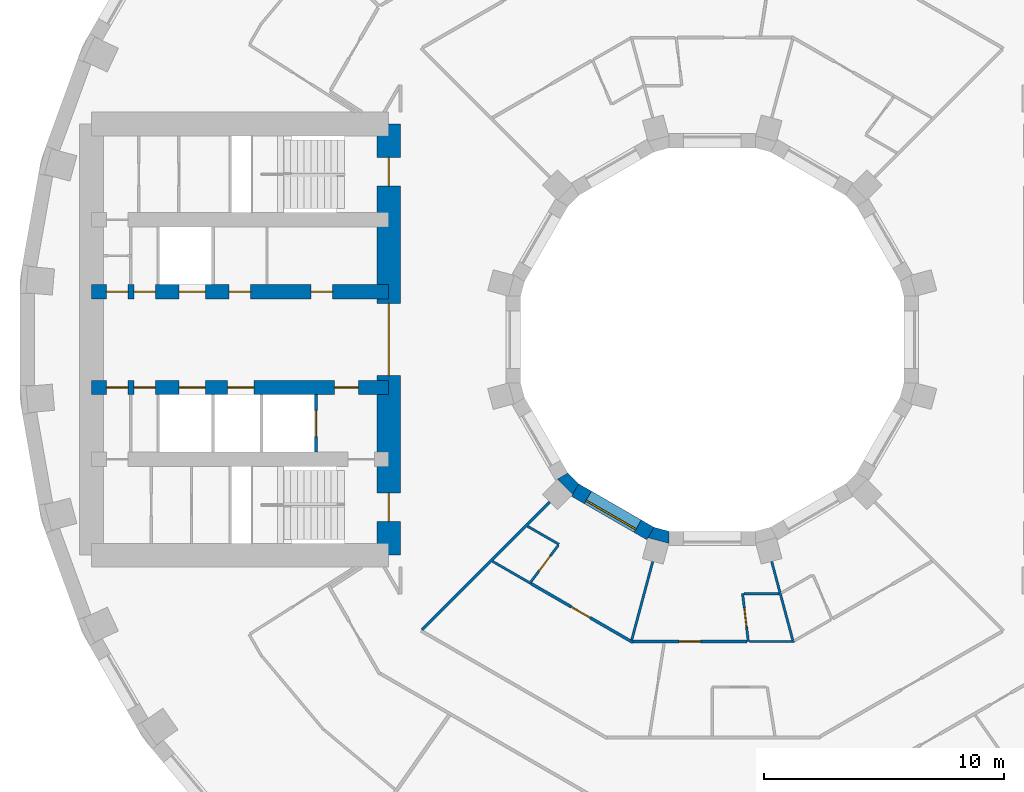
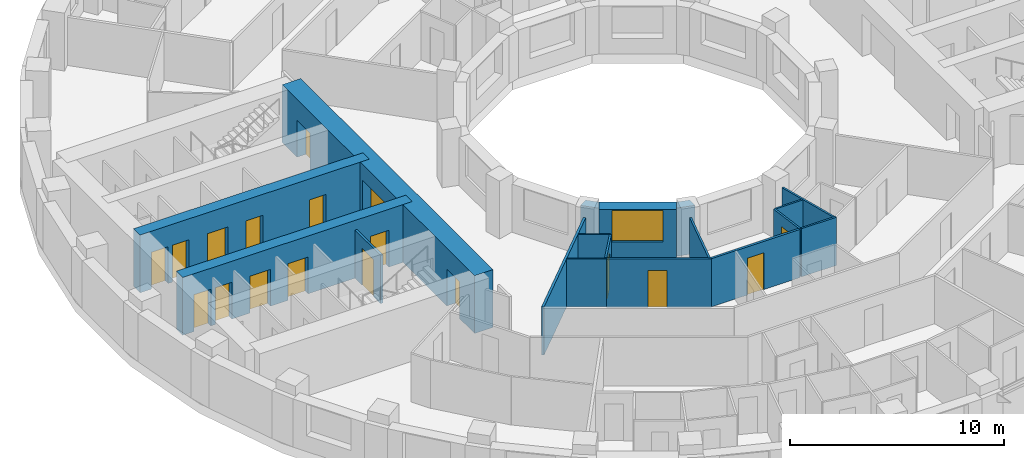
# One storey, part 7 of 16: 18 doors, 18 walls, 1 window, 19 openings.
"""IFC4 building model written with IfcOpenShell, lengths in metres."""

import ifcopenshell
import ifcopenshell.guid

model = None  # the IFC model being written
_history = None  # IfcOwnerHistory: only IFC2X3 demands one
_inside = {}  # id of a spatial element -> (the spatial element, [elements in it])
_under = {}  # id of a project, library or spatial element -> (it, [spatial elements below it])
_declared = {}  # id of a project -> (the project, [libraries it declares])
_typed = {}  # id of a type object -> (the type object, [elements of that type])
_made_of = {}  # id of a material, layer set ... -> (it, [elements and type objects made of it])


def new_model(schema):
    """Start an empty IFC model of exactly this schema.

    Asked for "IFC4X3", IfcOpenShell would pick the latest addendum, in which some entities
    have other attributes; the version numbers below select the first issue.
    IFC2X3 requires an IfcOwnerHistory on every rooted entity: one is made here for all.
    """
    global model, _history
    if schema == "IFC4X3":
        model = ifcopenshell.file(schema_version=(4, 3, 0, 0))
    else:
        model = ifcopenshell.file(schema=schema)
    _inside.clear()
    _under.clear()
    _declared.clear()
    _typed.clear()
    _made_of.clear()
    _history = None
    if model.schema == "IFC2X3":
        org = make("IfcOrganization", Name="unknown")
        user = make(
            "IfcPersonAndOrganization",
            ThePerson=make("IfcPerson", FamilyName="unknown"),
            TheOrganization=org,
        )
        app = make(
            "IfcApplication",
            ApplicationDeveloper=org,
            Version="unknown",
            ApplicationFullName="unknown",
            ApplicationIdentifier="unknown",
        )
        _history = make(
            "IfcOwnerHistory",
            OwningUser=user,
            OwningApplication=app,
            ChangeAction="ADDED",
            CreationDate=0,
        )
    return model


def make(cls, **values):
    """One entity of the class cls with the attributes given. An attribute that is None is left unset."""
    return model.create_entity(
        cls, **{name: value for name, value in values.items() if value is not None}
    )


def rooted(cls, **values):
    """An entity with a GlobalId (a new one), such as an element, a storey or a relation."""
    return make(cls, GlobalId=ifcopenshell.guid.new(), OwnerHistory=_history, **values)


def si_unit(unit_type, name, prefix=None):
    """IfcSIUnit, for example si_unit("LENGTHUNIT", "METRE", prefix="MILLI")."""
    return make("IfcSIUnit", UnitType=unit_type, Prefix=prefix, Name=name)


def assignment(units):
    """IfcUnitAssignment: the units of a project."""
    return None if units is None else make("IfcUnitAssignment", Units=units)


def point(xyz):
    """IfcCartesianPoint."""
    return None if xyz is None else make("IfcCartesianPoint", Coordinates=xyz)


def direction(xyz):
    """IfcDirection."""
    return None if xyz is None else make("IfcDirection", DirectionRatios=xyz)


def frame(location, z_axis=None, x_axis=None):
    """IfcAxis2Placement3D, a coordinate frame: its origin and axes. An axis left out is left unset."""
    return make(
        "IfcAxis2Placement3D",
        Location=point(location),
        Axis=direction(z_axis),
        RefDirection=direction(x_axis),
    )


def frame_2d(location, x_axis=None):
    """IfcAxis2Placement2D, a coordinate frame in the plane: its origin and x axis."""
    return make(
        "IfcAxis2Placement2D", Location=point(location), RefDirection=direction(x_axis)
    )


def origin():
    """The frame at (0, 0, 0) with its axes left unset."""
    return frame((0.0, 0.0, 0.0))


def place(relative_to, where):
    """IfcLocalPlacement: puts the frame where relative to a parent placement (None: the world)."""
    return make(
        "IfcLocalPlacement", PlacementRelTo=relative_to, RelativePlacement=where
    )


def context(
    kind, dimensions, precision=None, world=None, true_north=None, identifier=None
):
    """IfcGeometricRepresentationContext, for example the 3D "Model" context."""
    return make(
        "IfcGeometricRepresentationContext",
        ContextIdentifier=identifier,
        ContextType=kind,
        CoordinateSpaceDimension=dimensions,
        Precision=precision,
        WorldCoordinateSystem=world,
        TrueNorth=true_north,
    )


def subcontext(parent, identifier, kind, view, scale=None):
    """IfcGeometricRepresentationSubContext, for example "Body" below "Model"."""
    return make(
        "IfcGeometricRepresentationSubContext",
        ContextIdentifier=identifier,
        ContextType=kind,
        ParentContext=parent,
        TargetScale=scale,
        TargetView=view,
    )


def project(units=None, contexts=None):
    """IfcProject with its units and contexts."""
    return rooted(
        "IfcProject",
        Name="project",
        RepresentationContexts=contexts,
        UnitsInContext=assignment(units),
    )


def spatial(cls, under=None, at=None, **own):
    """A site, building, storey or space (cls), placed at a placement, below another one or the project."""
    s = rooted(cls, ObjectPlacement=at, **own)
    if under is not None:
        _under.setdefault(under.id(), (under, []))[1].append(s)
    return s


def polyline(points):
    """IfcPolyline through the points."""
    return make("IfcPolyline", Points=[point(p) for p in points])


def profile(cls, at=None, kind="AREA", **sizes):
    """A parametric profile (cls). Its sizes go by their IFC names, for example OverallWidth=200.0."""
    return make(cls, ProfileType=kind, Position=at, **sizes)


def rectangle(**sizes):
    """IfcRectangleProfileDef."""
    return profile("IfcRectangleProfileDef", **sizes)


def outline(outer, holes=None, kind="AREA"):
    """IfcArbitraryClosedProfileDef: a profile drawn as a closed curve; with holes, ...WithVoids."""
    if holes is None:
        return make("IfcArbitraryClosedProfileDef", ProfileType=kind, OuterCurve=outer)
    return make(
        "IfcArbitraryProfileDefWithVoids",
        ProfileType=kind,
        OuterCurve=outer,
        InnerCurves=holes,
    )


def extrude(swept, where, along, depth):
    """IfcExtrudedAreaSolid: the profile swept, set in the frame where, extruded along a direction by depth."""
    return make(
        "IfcExtrudedAreaSolid",
        SweptArea=swept,
        Position=where,
        ExtrudedDirection=direction(along),
        Depth=depth,
    )


def shape(context_of_items, identifier, shape_type, items):
    """IfcShapeRepresentation: the items that make up one representation, for example the "Body"."""
    return make(
        "IfcShapeRepresentation",
        ContextOfItems=context_of_items,
        RepresentationIdentifier=identifier,
        RepresentationType=shape_type,
        Items=items,
    )


def material(Name=None, Category=None):
    """IfcMaterial."""
    return make("IfcMaterial", Name=Name, Category=Category)


def layer(
    of_material, thickness, ventilated=None, Name=None, Category=None, Priority=None
):
    """IfcMaterialLayer: one layer of a wall or slab, of a material (None: an air gap)."""
    return make(
        "IfcMaterialLayer",
        Material=of_material,
        LayerThickness=thickness,
        IsVentilated=ventilated,
        Name=Name,
        Category=Category,
        Priority=Priority,
    )


def layer_set(layers, Name=None):
    """IfcMaterialLayerSet."""
    return make("IfcMaterialLayerSet", MaterialLayers=layers, LayerSetName=Name)


def made_of(thing, what):
    """Note that an element or type object is made of a material, layer set ...; save() writes the relation."""
    if what is not None:
        _made_of.setdefault(what.id(), (what, []))[1].append(thing)
    return thing


def type_object(cls, material=None, **own):
    """A type object (cls), such as IfcWallType, which elements share."""
    return made_of(rooted(cls, **own), material)


def element(
    cls,
    number,
    at=None,
    inside=None,
    cuts=None,
    type_object=None,
    material=None,
    context=None,
    identifier="Body",
    shape_type=None,
    held_by="IfcProductDefinitionShape",
    body=None,
    shapes=None,
    **own,
):
    """One element of the class cls, such as IfcWall. Its Tag is "e" and its number.

    at: its placement. inside: the storey or other place that contains it. cuts: it is an
    opening in that element (IfcRelVoidsElement). A single representation is given by context,
    identifier, shape_type and body (its items); several are given by shapes. held_by: the class
    of the entity that holds the representations. save() writes the other relations.
    """
    e = rooted(cls, Tag="e%d" % number, ObjectPlacement=at, **own)
    if body is not None:
        shapes = [shape(context, identifier, shape_type, body)]
    if shapes is not None:
        e.Representation = make(held_by, Representations=shapes)
    if inside is not None:
        _inside.setdefault(inside.id(), (inside, []))[1].append(e)
    if cuts is not None:
        rooted(
            "IfcRelVoidsElement", RelatingBuildingElement=cuts, RelatedOpeningElement=e
        )
    if type_object is not None:
        _typed.setdefault(type_object.id(), (type_object, []))[1].append(e)
    return made_of(e, material)


def fill(opening, filler):
    """IfcRelFillsElement: the door or window that sits in an opening."""
    return rooted(
        "IfcRelFillsElement",
        RelatingOpeningElement=opening,
        RelatedBuildingElement=filler,
    )


def aggregate(whole, parts):
    """IfcRelAggregates: a whole, such as a stair, and the parts it consists of."""
    return rooted("IfcRelAggregates", RelatingObject=whole, RelatedObjects=parts)


def save(model, path):
    """Write the relations noted so far, then the file.

    IfcRelAggregates (storeys below a building ...), IfcRelContainedInSpatialStructure (elements
    in a storey), IfcRelDefinesByType, IfcRelAssociatesMaterial and IfcRelDeclares: one each for
    every whole, place, type object, material and project.
    """
    for whole, parts in _under.values():
        aggregate(whole, parts)
    for where, things in _inside.values():
        rooted(
            "IfcRelContainedInSpatialStructure",
            RelatedElements=things,
            RelatingStructure=where,
        )
    for kind, things in _typed.values():
        rooted("IfcRelDefinesByType", RelatedObjects=things, RelatingType=kind)
    for what, things in _made_of.values():
        rooted("IfcRelAssociatesMaterial", RelatedObjects=things, RelatingMaterial=what)
    for by, libraries in _declared.values():
        rooted("IfcRelDeclares", RelatingContext=by, RelatedDefinitions=libraries)
    model.write(path)


model = new_model("IFC4")

# Units and contexts
model_context = context("Model", 3, precision=1e-05, world=origin(), true_north=direction((0.0, 1.0)))
body_context = subcontext(model_context, "Body", "Model", "MODEL_VIEW")
ifc_project = project(units=[si_unit("LENGTHUNIT", "METRE"), si_unit("AREAUNIT", "SQUARE_METRE"), si_unit("VOLUMEUNIT", "CUBIC_METRE"), si_unit("PLANEANGLEUNIT", "RADIAN"), si_unit("MASSUNIT", "GRAM", prefix="KILO")], contexts=[model_context])

# Site, building, storey
site_placement = place(None, origin())
site = spatial("IfcSite", under=ifc_project, at=site_placement, CompositionType="ELEMENT")
building_placement = place(site_placement, origin())
building = spatial("IfcBuilding", under=site, at=building_placement, Name="Saqina Gate Tower", CompositionType="ELEMENT")
storey_placement = place(building_placement, frame((0.0, 0.0, 26.300048828125)))
storey = spatial("IfcBuildingStorey", under=building, at=storey_placement, Name="L06", CompositionType="ELEMENT", Elevation=26.300048828125)

# Wall, opening, window
ifc_material_1 = material(Name="Glazed ceramic tile", Category="ceramic")
ifc_layer_1 = layer(ifc_material_1, 0.60009765625)
ifc_layer_set_1 = layer_set([ifc_layer_1], Name="IW-TILE")
wall_type_1 = type_object("IfcWallType", Name="IW-TILE", PredefinedType="SOLIDWALL", material=ifc_layer_set_1)
wall_1_placement = place(storey_placement, frame((-5.7197265625, -6.28173828125, 0.0), z_axis=(0.0, 0.0, 1.0), x_axis=(0.866029693906, -0.499992569217, 0.0)))
wall_1 = element("IfcWall", 1, at=wall_1_placement, inside=storey, type_object=wall_type_1, Name="Well wall L06 facet 8", PredefinedType="SOLIDWALL", context=body_context, shape_type="SweptSolid", body=[
    extrude(rectangle(XDim=3.625, YDim=0.60009765625, at=frame_2d((1.8125, 0.0))), origin(), (0.0, 0.0, 1.0), 2.75),
])
opening_1_placement = place(wall_1_placement, frame((0.612548828125, 0.0, 0.89990234375)))
opening_1 = element("IfcOpeningElement", 2, at=opening_1_placement, cuts=wall_1, Name="Opening G01-W30", PredefinedType="OPENING", context=body_context, shape_type="SweptSolid", body=[
    extrude(rectangle(XDim=2.39990234375, YDim=1.800048828125, at=frame_2d((1.199951171875, 0.89990234375))), frame((0.0, 0.31201171875, 0.0), z_axis=(0.0, -1.0, 0.0), x_axis=(1.0, 0.0, 0.0)), (0.0, 0.0, 1.0), 0.6240234375),
])
ifc_material_2 = material(Name="Aluminium glazing", Category="aluminium")
window_type = type_object("IfcWindowType", Name="WN-W", PartitioningType="SINGLE_PANEL", PredefinedType="WINDOW", material=ifc_material_2)
window_placement = place(opening_1_placement, origin())
window = element("IfcWindow", 3, at=window_placement, inside=storey, type_object=window_type, Name="Well window L06 facet 8", OverallHeight=1.800048828125, OverallWidth=2.39990234375, PartitioningType="SINGLE_PANEL", PredefinedType="WINDOW", context=body_context, shape_type="SweptSolid", body=[
    extrude(rectangle(XDim=2.39990234375, YDim=1.800048828125, at=frame_2d((1.199951171875, 0.89990234375))), frame((0.0, -0.119873046875, 0.0), z_axis=(0.0, -1.0, 0.0), x_axis=(1.0, 0.0, 0.0)), (0.0, 0.0, 1.0), 0.06005859375),
])
fill(opening_1, window)

# Wall, opening, door
ifc_material_3 = material(Name="Gypsum board on steel studs, 100 mm", Category="steel")
ifc_layer_2 = layer(ifc_material_3, 0.10009765625)
ifc_layer_set_2 = layer_set([ifc_layer_2], Name="PARTITION 100")
wall_type_2 = type_object("IfcWallType", Name="PARTITION 100", PredefinedType="PARTITIONING", material=ifc_layer_set_2)
wall_2_placement = place(storey_placement, frame((1.26708984375, -10.60009765625, 0.0), z_axis=(0.0, 0.0, 1.0), x_axis=(0.11866247814, -0.992934648545, 0.0)))
wall_2 = element("IfcWall", 4, at=wall_2_placement, inside=storey, type_object=wall_type_2, Name="PARTITION PW3-06", PredefinedType="PARTITIONING", context=body_context, shape_type="SweptSolid", body=[
    extrude(rectangle(XDim=2.01416015625, YDim=0.10009765625, at=frame_2d((1.007080078125, 0.0))), origin(), (0.0, 0.0, 1.0), 2.75),
])
opening_2_placement = place(wall_2_placement, frame((0.607177734375, 0.0, 0.0)))
opening_2 = element("IfcOpeningElement", 5, at=opening_2_placement, cuts=wall_2, Name="Opening G01-D58", PredefinedType="OPENING", context=body_context, shape_type="SweptSolid", body=[
    extrude(rectangle(XDim=0.800048828125, YDim=2.10009765625, at=frame_2d((0.39990234375, 1.050048828125))), frame((0.0, 0.06201171875, 0.0), z_axis=(0.0, -1.0, 0.0), x_axis=(1.0, 0.0, 0.0)), (0.0, 0.0, 1.0), 0.1240234375),
])
ifc_material_4 = material(Name="Timber door leaf, 800 mm", Category="wood")
door_type_1 = type_object("IfcDoorType", Name="DOOR 800 TIMBER", OperationType="SINGLE_SWING_LEFT", PredefinedType="DOOR", material=ifc_material_4)
door_1_placement = place(opening_2_placement, frame((0.800048828125, 0.0, 0.0), z_axis=(0.0, 0.0, 1.0), x_axis=(-1.0, 0.0, 0.0)))
door_1 = element("IfcDoor", 6, at=door_1_placement, inside=storey, type_object=door_type_1, Name="DOOR G01-D58", OperationType="SINGLE_SWING_LEFT", OverallHeight=2.10009765625, OverallWidth=0.800048828125, PredefinedType="DOOR", context=body_context, shape_type="SweptSolid", body=[
    extrude(rectangle(XDim=0.800048828125, YDim=2.10009765625, at=frame_2d((0.39990234375, 1.050048828125))), frame((0.0, 0.02490234375, 0.0), z_axis=(0.0, -1.0, 0.0), x_axis=(1.0, 0.0, 0.0)), (0.0, 0.0, 1.0), 0.050048828125),
])
fill(opening_2, door_1)

# Walls
wall_3_placement = place(storey_placement, frame((2.48291015625, -9.265380859375, 0.0), z_axis=(0.0, 0.0, 1.0), x_axis=(0.258846086109, -0.965918580268, 0.0)))
element("IfcWall", 7, at=wall_3_placement, inside=storey, type_object=wall_type_2, Name="PARTITION PW3-14", PredefinedType="PARTITIONING", context=body_context, shape_type="SweptSolid", body=[
    extrude(rectangle(XDim=3.402099609375, YDim=0.10009765625, at=frame_2d((1.701171875, 0.0))), origin(), (0.0, 0.0, 1.0), 2.75),
])
wall_4_placement = place(storey_placement, frame((-9.169921875, -9.255126953125, 0.0), z_axis=(0.0, 0.0, 1.0), x_axis=(0.866043361281, -0.499968895414, 0.0)))
element("IfcWall", 8, at=wall_4_placement, inside=storey, type_object=wall_type_2, Name="PARTITION PW3-39", PredefinedType="PARTITIONING", context=body_context, shape_type="SweptSolid", body=[
    extrude(rectangle(XDim=1.85791015625, YDim=0.10009765625, at=frame_2d((0.928955078125, 0.0))), origin(), (0.0, 0.0, 1.0), 2.75),
])
wall_5_placement = place(storey_placement, frame((-7.705810546875, -7.791259765625, 0.0), z_axis=(0.0, 0.0, 1.0), x_axis=(0.866317379693, -0.499493941547, 0.0)))
element("IfcWall", 9, at=wall_5_placement, inside=storey, type_object=wall_type_2, Name="PARTITION PW3-40", PredefinedType="PARTITIONING", context=body_context, shape_type="SweptSolid", body=[
    extrude(rectangle(XDim=1.5107421875, YDim=0.10009765625, at=frame_2d((0.75537109375, 0.0))), origin(), (0.0, 0.0, 1.0), 2.75),
])
wall_6_placement = place(storey_placement, frame((1.555908203125, -12.60009765625, 0.0), z_axis=(0.0, 0.0, 1.0), x_axis=(1.0, 0.0, 0.0)))
element("IfcWall", 10, at=wall_6_placement, inside=storey, type_object=wall_type_2, Name="PARTITION PW3-59", PredefinedType="PARTITIONING", context=body_context, shape_type="SweptSolid", body=[
    extrude(rectangle(XDim=1.8779296875, YDim=0.10009765625, at=frame_2d((0.93896484375, 0.0))), origin(), (0.0, 0.0, 1.0), 2.75),
])
wall_7_placement = place(storey_placement, frame((1.31689453125, -10.60009765625, 0.0), z_axis=(0.0, 0.0, 1.0), x_axis=(1.0, 0.0, 0.0)))
element("IfcWall", 11, at=wall_7_placement, inside=storey, type_object=wall_type_2, Name="PARTITION PW3-60", PredefinedType="PARTITIONING", context=body_context, shape_type="SweptSolid", body=[
    extrude(rectangle(XDim=1.47314453125, YDim=0.10009765625, at=frame_2d((0.736572265625, 0.0))), origin(), (0.0, 0.0, 1.0), 2.75),
])

# Wall, opening, door
wall_8_placement = place(storey_placement, frame((-7.566650390625, -10.10888671875, 0.0), z_axis=(0.0, 0.0, 1.0), x_axis=(0.599137140235, 0.800646418334, 0.0)))
wall_8 = element("IfcWall", 12, at=wall_8_placement, inside=storey, type_object=wall_type_2, Name="PARTITION PW3-96", PredefinedType="PARTITIONING", context=body_context, shape_type="SweptSolid", body=[
    extrude(rectangle(XDim=1.902099609375, YDim=0.10009765625, at=frame_2d((0.951171875, 0.0))), origin(), (0.0, 0.0, 1.0), 2.75),
])
opening_3_placement = place(wall_8_placement, frame((0.544921875, 0.0, 0.0)))
opening_3 = element("IfcOpeningElement", 13, at=opening_3_placement, cuts=wall_8, Name="Opening G01-D42", PredefinedType="OPENING", context=body_context, shape_type="SweptSolid", body=[
    extrude(rectangle(XDim=0.800048828125, YDim=2.10009765625, at=frame_2d((0.39990234375, 1.050048828125))), frame((0.0, 0.06201171875, 0.0), z_axis=(0.0, -1.0, 0.0), x_axis=(1.0, 0.0, 0.0)), (0.0, 0.0, 1.0), 0.1240234375),
])
door_2_placement = place(opening_3_placement, frame((0.800048828125, 0.0, 0.0), z_axis=(0.0, 0.0, 1.0), x_axis=(-1.0, 0.0, 0.0)))
door_2 = element("IfcDoor", 14, at=door_2_placement, inside=storey, type_object=door_type_1, Name="DOOR G01-D42", OperationType="SINGLE_SWING_RIGHT", OverallHeight=2.10009765625, OverallWidth=0.800048828125, PredefinedType="DOOR", context=body_context, shape_type="SweptSolid", body=[
    extrude(rectangle(XDim=0.800048828125, YDim=2.10009765625, at=frame_2d((0.39990234375, 1.050048828125))), frame((0.0, 0.02490234375, 0.0), z_axis=(0.0, -1.0, 0.0), x_axis=(1.0, 0.0, 0.0)), (0.0, 0.0, 1.0), 0.050048828125),
])
fill(opening_3, door_2)

# Wall
wall_9_placement = place(storey_placement, frame((-3.35986328125, -12.53955078125, 0.0), z_axis=(0.0, 0.0, 1.0), x_axis=(0.258787687785, 0.965934227911, 0.0)))
element("IfcWall", 15, at=wall_9_placement, inside=storey, type_object=wall_type_2, Name="PARTITION PW3-109", PredefinedType="PARTITIONING", context=body_context, shape_type="SweptSolid", body=[
    extrude(rectangle(XDim=3.3896484375, YDim=0.10009765625, at=frame_2d((1.69482421875, 0.0))), origin(), (0.0, 0.0, 1.0), 2.75),
])

# Wall, opening, door
ifc_material_5 = material(Name="Gypsum board on steel studs, 125 mm, fire rated", Category="steel")
ifc_layer_3 = layer(ifc_material_5, 0.125)
ifc_layer_set_3 = layer_set([ifc_layer_3], Name="PARTITION EI 30 125")
wall_type_3 = type_object("IfcWallType", Name="PARTITION EI 30 125", PredefinedType="PARTITIONING", material=ifc_layer_set_3)
wall_10_placement = place(storey_placement, frame((-7.560791015625, -10.18408203125, 0.0), z_axis=(0.0, 0.0, 1.0), x_axis=(0.86605046449, -0.499956591072, 0.0)))
wall_10 = element("IfcWall", 16, at=wall_10_placement, inside=storey, type_object=wall_type_3, Name="PARTITION PW1-16", PredefinedType="PARTITIONING", context=body_context, shape_type="SweptSolid", body=[
    extrude(rectangle(XDim=4.904296875, YDim=0.125, at=frame_2d((2.4521484375, 0.0))), origin(), (0.0, 0.0, 1.0), 2.75),
])
opening_4_placement = place(wall_10_placement, frame((1.94091796875, 0.0, 0.0)))
opening_4 = element("IfcOpeningElement", 17, at=opening_4_placement, cuts=wall_10, Name="Opening G01-D45", PredefinedType="OPENING", context=body_context, shape_type="SweptSolid", body=[
    extrude(rectangle(XDim=0.89990234375, YDim=2.10009765625, at=frame_2d((0.449951171875, 1.050048828125))), frame((0.0, 0.074462890625, 0.0), z_axis=(0.0, -1.0, 0.0), x_axis=(1.0, 0.0, 0.0)), (0.0, 0.0, 1.0), 0.14892578125),
])
ifc_material_6 = material(Name="Fire door leaf EI 30, 900 mm")
door_type_2 = type_object("IfcDoorType", Name="DOOR 900 EI 30", OperationType="SINGLE_SWING_LEFT", PredefinedType="DOOR", material=ifc_material_6)
door_3_placement = place(opening_4_placement, frame((0.89990234375, 0.0, 0.0), z_axis=(0.0, 0.0, 1.0), x_axis=(-1.0, 0.0, 0.0)))
door_3 = element("IfcDoor", 18, at=door_3_placement, inside=storey, type_object=door_type_2, Name="DOOR G01-D45", OperationType="SINGLE_SWING_RIGHT", OverallHeight=2.10009765625, OverallWidth=0.89990234375, PredefinedType="DOOR", context=body_context, shape_type="SweptSolid", body=[
    extrude(rectangle(XDim=0.89990234375, YDim=2.10009765625, at=frame_2d((0.449951171875, 1.050048828125))), frame((0.0, 0.02490234375, 0.0), z_axis=(0.0, -1.0, 0.0), x_axis=(1.0, 0.0, 0.0)), (0.0, 0.0, 1.0), 0.050048828125),
])
fill(opening_4, door_3)

wall_11_placement = place(storey_placement, frame((-3.3134765625, -12.60009765625, 0.0), z_axis=(0.0, 0.0, 1.0), x_axis=(1.0, 0.0, 0.0)))
wall_11 = element("IfcWall", 19, at=wall_11_placement, inside=storey, type_object=wall_type_3, Name="PARTITION PW1-28", PredefinedType="PARTITIONING", context=body_context, shape_type="SweptSolid", body=[
    extrude(rectangle(XDim=4.76953125, YDim=0.125, at=frame_2d((2.384765625, 0.0))), origin(), (0.0, 0.0, 1.0), 2.75),
])
opening_5_placement = place(wall_11_placement, frame((1.928466796875, 0.0, 0.0)))
opening_5 = element("IfcOpeningElement", 20, at=opening_5_placement, cuts=wall_11, Name="Opening G01-D53", PredefinedType="OPENING", context=body_context, shape_type="SweptSolid", body=[
    extrude(rectangle(XDim=0.89990234375, YDim=2.10009765625, at=frame_2d((0.449951171875, 1.050048828125))), frame((0.0, 0.074462890625, 0.0), z_axis=(0.0, -1.0, 0.0), x_axis=(1.0, 0.0, 0.0)), (0.0, 0.0, 1.0), 0.14892578125),
])
door_4_placement = place(opening_5_placement, frame((0.89990234375, 0.0, 0.0), z_axis=(0.0, 0.0, 1.0), x_axis=(-1.0, 0.0, 0.0)))
door_4 = element("IfcDoor", 21, at=door_4_placement, inside=storey, type_object=door_type_2, Name="DOOR G01-D53", OperationType="SINGLE_SWING_RIGHT", OverallHeight=2.10009765625, OverallWidth=0.89990234375, PredefinedType="DOOR", context=body_context, shape_type="SweptSolid", body=[
    extrude(rectangle(XDim=0.89990234375, YDim=2.10009765625, at=frame_2d((0.449951171875, 1.050048828125))), frame((0.0, 0.02490234375, 0.0), z_axis=(0.0, -1.0, 0.0), x_axis=(1.0, 0.0, 0.0)), (0.0, 0.0, 1.0), 0.050048828125),
])
fill(opening_5, door_4)

# Wall
wall_12_placement = place(storey_placement, frame((-12.10791015625, -12.10791015625, 0.0), z_axis=(0.0, 0.0, 1.0), x_axis=(0.707106781187, 0.707106781187, 0.0)))
element("IfcWall", 22, at=wall_12_placement, inside=storey, type_object=wall_type_3, Name="PARTITION PW1-47", PredefinedType="PARTITIONING", context=body_context, shape_type="SweptSolid", body=[
    extrude(rectangle(XDim=7.531005859375, YDim=0.125, at=frame_2d((3.765625, 0.0))), origin(), (0.0, 0.0, 1.0), 2.75),
])

# Wall, opening, door
ifc_material_7 = material(Name="Autoclaved aerated concrete block", Category="concrete")
ifc_layer_4 = layer(ifc_material_7, 0.1201171875)
ifc_layer_set_4 = layer_set([ifc_layer_4], Name="SHAFT PARTITION")
wall_type_4 = type_object("IfcWallType", Name="SHAFT PARTITION", PredefinedType="PARTITIONING", material=ifc_layer_set_4)
wall_13_placement = place(storey_placement, frame((-16.530029296875, -4.699951171875, 0.0), z_axis=(0.0, 0.0, 1.0), x_axis=(0.0, 1.0, 0.0)))
wall_13 = element("IfcWall", 23, at=wall_13_placement, inside=storey, type_object=wall_type_4, Name="L06-CP-W05", PredefinedType="PARTITIONING", context=body_context, shape_type="SweptSolid", body=[
    extrude(rectangle(XDim=2.39990234375, YDim=0.1201171875, at=frame_2d((1.199951171875, 0.0))), origin(), (0.0, 0.0, 1.0), 2.75),
])
opening_6_placement = place(wall_13_placement, frame((0.64990234375, 0.0, 0.0)))
opening_6 = element("IfcOpeningElement", 24, at=opening_6_placement, cuts=wall_13, Name="Opening G01-LD6", PredefinedType="OPENING", context=body_context, shape_type="SweptSolid", body=[
    extrude(rectangle(XDim=1.10009765625, YDim=2.10009765625, at=frame_2d((0.550048828125, 1.050048828125))), frame((0.0, 0.072021484375, 0.0), z_axis=(0.0, -1.0, 0.0), x_axis=(1.0, 0.0, 0.0)), (0.0, 0.0, 1.0), 0.14404296875),
])
ifc_material_8 = material(Name="Stainless steel", Category="steel")
door_type_3 = type_object("IfcDoorType", Name="LANDING DOOR", OperationType="DOUBLE_DOOR_SLIDING", PredefinedType="DOOR", material=ifc_material_8)
door_5_placement = place(opening_6_placement, origin())
door_5 = element("IfcDoor", 25, at=door_5_placement, inside=storey, type_object=door_type_3, Name="LANDING DOOR FF2", OperationType="DOUBLE_DOOR_SLIDING", OverallHeight=2.10009765625, OverallWidth=1.10009765625, PredefinedType="DOOR", context=body_context, shape_type="SweptSolid", body=[
    extrude(rectangle(XDim=1.10009765625, YDim=2.10009765625, at=frame_2d((0.550048828125, 1.050048828125))), frame((0.0, 0.02490234375, 0.0), z_axis=(0.0, -1.0, 0.0), x_axis=(1.0, 0.0, 0.0)), (0.0, 0.0, 1.0), 0.050048828125),
])
fill(opening_6, door_5)

# Wall, openings, doors
ifc_material_9 = material(Name="Concrete C70/85", Category="concrete")
ifc_layer_5 = layer(ifc_material_9, 0.60009765625)
ifc_layer_set_5 = layer_set([ifc_layer_5], Name="Concrete C70/85")
wall_type_5 = type_object("IfcWallType", Name="STR-CORE WALL-A-I", PredefinedType="SHEAR", material=ifc_layer_set_5)
wall_14_placement = place(storey_placement, frame((-13.5, 2.0, 0.0), z_axis=(0.0, 0.0, 1.0), x_axis=(-1.0, 0.0, 0.0)))
wall_14 = element("IfcWall", 26, at=wall_14_placement, inside=storey, type_object=wall_type_5, Name="CORE WALL L06 W-L1", PredefinedType="SHEAR", context=body_context, shape_type="SweptSolid", body=[
    extrude(rectangle(XDim=12.39990234375, YDim=0.60009765625, at=frame_2d((6.199951171875, 0.0))), origin(), (0.0, 0.0, 1.0), 3.300048828125),
])
opening_7_placement = place(wall_14_placement, frame((7.64990234375, 0.0, 0.0)))
opening_7 = element("IfcOpeningElement", 27, at=opening_7_placement, cuts=wall_14, Name="Opening G01-LD5", PredefinedType="OPENING", context=body_context, shape_type="SweptSolid", body=[
    extrude(rectangle(XDim=1.10009765625, YDim=2.10009765625, at=frame_2d((0.550048828125, 1.050048828125))), frame((0.0, 0.31201171875, 0.0), z_axis=(0.0, -1.0, 0.0), x_axis=(1.0, 0.0, 0.0)), (0.0, 0.0, 1.0), 0.6240234375),
])
opening_8_placement = place(wall_14_placement, frame((2.34130859375, 0.0, 0.0)))
opening_8 = element("IfcOpeningElement", 28, at=opening_8_placement, cuts=wall_14, Name="Opening G01-D108", PredefinedType="OPENING", context=body_context, shape_type="SweptSolid", body=[
    extrude(rectangle(XDim=0.89990234375, YDim=2.10009765625, at=frame_2d((0.449951171875, 1.050048828125))), frame((0.0, 0.31201171875, 0.0), z_axis=(0.0, -1.0, 0.0), x_axis=(1.0, 0.0, 0.0)), (0.0, 0.0, 1.0), 0.6240234375),
])
opening_9_placement = place(wall_14_placement, frame((5.761474609375, 0.0, 0.0)))
opening_9 = element("IfcOpeningElement", 29, at=opening_9_placement, cuts=wall_14, Name="Opening G01-D109", PredefinedType="OPENING", context=body_context, shape_type="SweptSolid", body=[
    extrude(rectangle(XDim=0.89990234375, YDim=2.10009765625, at=frame_2d((0.449951171875, 1.050048828125))), frame((0.0, 0.31201171875, 0.0), z_axis=(0.0, -1.0, 0.0), x_axis=(1.0, 0.0, 0.0)), (0.0, 0.0, 1.0), 0.6240234375),
])
opening_10_placement = place(wall_14_placement, frame((9.739990234375, 0.0, 0.0)))
opening_10 = element("IfcOpeningElement", 30, at=opening_10_placement, cuts=wall_14, Name="Opening G01-D110", PredefinedType="OPENING", context=body_context, shape_type="SweptSolid", body=[
    extrude(rectangle(XDim=0.89990234375, YDim=2.10009765625, at=frame_2d((0.449951171875, 1.050048828125))), frame((0.0, 0.31201171875, 0.0), z_axis=(0.0, -1.0, 0.0), x_axis=(1.0, 0.0, 0.0)), (0.0, 0.0, 1.0), 0.6240234375),
])
opening_11_placement = place(wall_14_placement, frame((10.8798828125, 0.0, 0.0)))
opening_11 = element("IfcOpeningElement", 31, at=opening_11_placement, cuts=wall_14, Name="Opening G01-D111", PredefinedType="OPENING", context=body_context, shape_type="SweptSolid", body=[
    extrude(rectangle(XDim=0.89990234375, YDim=2.10009765625, at=frame_2d((0.449951171875, 1.050048828125))), frame((0.0, 0.31201171875, 0.0), z_axis=(0.0, -1.0, 0.0), x_axis=(1.0, 0.0, 0.0)), (0.0, 0.0, 1.0), 0.6240234375),
])
door_6_placement = place(opening_7_placement, origin())
door_6 = element("IfcDoor", 32, at=door_6_placement, inside=storey, type_object=door_type_3, Name="LANDING DOOR LR4", OperationType="DOUBLE_DOOR_SLIDING", OverallHeight=2.10009765625, OverallWidth=1.10009765625, PredefinedType="DOOR", context=body_context, shape_type="SweptSolid", body=[
    extrude(rectangle(XDim=1.10009765625, YDim=2.10009765625, at=frame_2d((0.550048828125, 1.050048828125))), frame((0.0, 0.02490234375, 0.0), z_axis=(0.0, -1.0, 0.0), x_axis=(1.0, 0.0, 0.0)), (0.0, 0.0, 1.0), 0.050048828125),
])
fill(opening_7, door_6)
ifc_material_10 = material(Name="Steel-framed fire door leaf, EI 60", Category="steel")
door_type_4 = type_object("IfcDoorType", Name="SERVICE ROOM DOOR 900", OperationType="SINGLE_SWING_LEFT", PredefinedType="DOOR", material=ifc_material_10)
door_7_placement = place(opening_8_placement, frame((0.89990234375, 0.0, 0.0), z_axis=(0.0, 0.0, 1.0), x_axis=(-1.0, 0.0, 0.0)))
door_7 = element("IfcDoor", 33, at=door_7_placement, inside=storey, type_object=door_type_4, Name="L06-CD-W19", OperationType="SINGLE_SWING_RIGHT", OverallHeight=2.10009765625, OverallWidth=0.89990234375, PredefinedType="DOOR", context=body_context, shape_type="SweptSolid", body=[
    extrude(rectangle(XDim=0.89990234375, YDim=2.10009765625, at=frame_2d((0.449951171875, 1.050048828125))), frame((0.0, 0.02490234375, 0.0), z_axis=(0.0, -1.0, 0.0), x_axis=(1.0, 0.0, 0.0)), (0.0, 0.0, 1.0), 0.050048828125),
])
fill(opening_8, door_7)
door_8_placement = place(opening_9_placement, frame((0.89990234375, 0.0, 0.0), z_axis=(0.0, 0.0, 1.0), x_axis=(-1.0, 0.0, 0.0)))
door_8 = element("IfcDoor", 34, at=door_8_placement, inside=storey, type_object=door_type_4, Name="L06-CD-W20", OperationType="SINGLE_SWING_LEFT", OverallHeight=2.10009765625, OverallWidth=0.89990234375, PredefinedType="DOOR", context=body_context, shape_type="SweptSolid", body=[
    extrude(rectangle(XDim=0.89990234375, YDim=2.10009765625, at=frame_2d((0.449951171875, 1.050048828125))), frame((0.0, 0.02490234375, 0.0), z_axis=(0.0, -1.0, 0.0), x_axis=(1.0, 0.0, 0.0)), (0.0, 0.0, 1.0), 0.050048828125),
])
fill(opening_9, door_8)
door_9_placement = place(opening_10_placement, frame((0.89990234375, 0.0, 0.0), z_axis=(0.0, 0.0, 1.0), x_axis=(-1.0, 0.0, 0.0)))
door_9 = element("IfcDoor", 35, at=door_9_placement, inside=storey, type_object=door_type_4, Name="L06-CD-W21", OperationType="SINGLE_SWING_RIGHT", OverallHeight=2.10009765625, OverallWidth=0.89990234375, PredefinedType="DOOR", context=body_context, shape_type="SweptSolid", body=[
    extrude(rectangle(XDim=0.89990234375, YDim=2.10009765625, at=frame_2d((0.449951171875, 1.050048828125))), frame((0.0, 0.02490234375, 0.0), z_axis=(0.0, -1.0, 0.0), x_axis=(1.0, 0.0, 0.0)), (0.0, 0.0, 1.0), 0.050048828125),
])
fill(opening_10, door_9)
door_10_placement = place(opening_11_placement, frame((0.89990234375, 0.0, 0.0), z_axis=(0.0, 0.0, 1.0), x_axis=(-1.0, 0.0, 0.0)))
door_10 = element("IfcDoor", 36, at=door_10_placement, inside=storey, type_object=door_type_4, Name="L06-CD-W22", OperationType="SINGLE_SWING_LEFT", OverallHeight=2.10009765625, OverallWidth=0.89990234375, PredefinedType="DOOR", context=body_context, shape_type="SweptSolid", body=[
    extrude(rectangle(XDim=0.89990234375, YDim=2.10009765625, at=frame_2d((0.449951171875, 1.050048828125))), frame((0.0, 0.02490234375, 0.0), z_axis=(0.0, -1.0, 0.0), x_axis=(1.0, 0.0, 0.0)), (0.0, 0.0, 1.0), 0.050048828125),
])
fill(opening_11, door_10)

wall_15_placement = place(storey_placement, frame((-13.5, -2.0, 0.0), z_axis=(0.0, 0.0, 1.0), x_axis=(-1.0, 0.0, 0.0)))
wall_15 = element("IfcWall", 37, at=wall_15_placement, inside=storey, type_object=wall_type_5, Name="CORE WALL L06 W-L2", PredefinedType="SHEAR", context=body_context, shape_type="SweptSolid", body=[
    extrude(rectangle(XDim=12.39990234375, YDim=0.60009765625, at=frame_2d((6.199951171875, 0.0))), origin(), (0.0, 0.0, 1.0), 3.300048828125),
])
opening_12_placement = place(wall_15_placement, frame((5.6201171875, 0.0, 0.0)))
opening_12 = element("IfcOpeningElement", 38, at=opening_12_placement, cuts=wall_15, Name="Opening G01-LD7", PredefinedType="OPENING", context=body_context, shape_type="SweptSolid", body=[
    extrude(rectangle(XDim=1.10009765625, YDim=2.10009765625, at=frame_2d((0.550048828125, 1.050048828125))), frame((0.0, 0.31201171875, 0.0), z_axis=(0.0, -1.0, 0.0), x_axis=(1.0, 0.0, 0.0)), (0.0, 0.0, 1.0), 0.6240234375),
])
opening_13_placement = place(wall_15_placement, frame((7.64990234375, 0.0, 0.0)))
opening_13 = element("IfcOpeningElement", 39, at=opening_13_placement, cuts=wall_15, Name="Opening G01-LD8", PredefinedType="OPENING", context=body_context, shape_type="SweptSolid", body=[
    extrude(rectangle(XDim=1.10009765625, YDim=2.10009765625, at=frame_2d((0.550048828125, 1.050048828125))), frame((0.0, 0.31201171875, 0.0), z_axis=(0.0, -1.0, 0.0), x_axis=(1.0, 0.0, 0.0)), (0.0, 0.0, 1.0), 0.6240234375),
])
opening_14_placement = place(wall_15_placement, frame((1.264892578125, 0.0, 0.0)))
opening_14 = element("IfcOpeningElement", 40, at=opening_14_placement, cuts=wall_15, Name="Opening G01-D112", PredefinedType="OPENING", context=body_context, shape_type="SweptSolid", body=[
    extrude(rectangle(XDim=1.0, YDim=2.10009765625, at=frame_2d((0.5, 1.050048828125))), frame((0.0, 0.31201171875, 0.0), z_axis=(0.0, -1.0, 0.0), x_axis=(1.0, 0.0, 0.0)), (0.0, 0.0, 1.0), 0.6240234375),
])
opening_15_placement = place(wall_15_placement, frame((9.739990234375, 0.0, 0.0)))
opening_15 = element("IfcOpeningElement", 41, at=opening_15_placement, cuts=wall_15, Name="Opening G01-D113", PredefinedType="OPENING", context=body_context, shape_type="SweptSolid", body=[
    extrude(rectangle(XDim=0.89990234375, YDim=2.10009765625, at=frame_2d((0.449951171875, 1.050048828125))), frame((0.0, 0.31201171875, 0.0), z_axis=(0.0, -1.0, 0.0), x_axis=(1.0, 0.0, 0.0)), (0.0, 0.0, 1.0), 0.6240234375),
])
opening_16_placement = place(wall_15_placement, frame((10.8798828125, 0.0, 0.0)))
opening_16 = element("IfcOpeningElement", 42, at=opening_16_placement, cuts=wall_15, Name="Opening G01-D114", PredefinedType="OPENING", context=body_context, shape_type="SweptSolid", body=[
    extrude(rectangle(XDim=0.89990234375, YDim=2.10009765625, at=frame_2d((0.449951171875, 1.050048828125))), frame((0.0, 0.31201171875, 0.0), z_axis=(0.0, -1.0, 0.0), x_axis=(1.0, 0.0, 0.0)), (0.0, 0.0, 1.0), 0.6240234375),
])
ifc_material_11 = material(Name="Steel", Category="steel")
door_type_5 = type_object("IfcDoorType", Name="FIRE LOBBY DOOR EI 60", OperationType="SINGLE_SWING_LEFT", PredefinedType="DOOR", material=ifc_material_11)
door_11_placement = place(opening_14_placement, frame((1.0, 0.0, 0.0), z_axis=(0.0, 0.0, 1.0), x_axis=(-1.0, 0.0, 0.0)))
door_11 = element("IfcDoor", 43, at=door_11_placement, inside=storey, type_object=door_type_5, Name="L06-CD-W23", OperationType="SINGLE_SWING_RIGHT", OverallHeight=2.10009765625, OverallWidth=1.0, PredefinedType="DOOR", context=body_context, shape_type="SweptSolid", body=[
    extrude(rectangle(XDim=1.0, YDim=2.10009765625, at=frame_2d((0.5, 1.050048828125))), frame((0.0, 0.02490234375, 0.0), z_axis=(0.0, -1.0, 0.0), x_axis=(1.0, 0.0, 0.0)), (0.0, 0.0, 1.0), 0.050048828125),
])
fill(opening_14, door_11)
door_12_placement = place(opening_12_placement, origin())
door_12 = element("IfcDoor", 44, at=door_12_placement, inside=storey, type_object=door_type_3, Name="LANDING DOOR LR6", OperationType="DOUBLE_DOOR_SLIDING", OverallHeight=2.10009765625, OverallWidth=1.10009765625, PredefinedType="DOOR", context=body_context, shape_type="SweptSolid", body=[
    extrude(rectangle(XDim=1.10009765625, YDim=2.10009765625, at=frame_2d((0.550048828125, 1.050048828125))), frame((0.0, 0.02490234375, 0.0), z_axis=(0.0, -1.0, 0.0), x_axis=(1.0, 0.0, 0.0)), (0.0, 0.0, 1.0), 0.050048828125),
])
fill(opening_12, door_12)
door_13_placement = place(opening_13_placement, origin())
door_13 = element("IfcDoor", 45, at=door_13_placement, inside=storey, type_object=door_type_3, Name="LANDING DOOR LR5", OperationType="DOUBLE_DOOR_SLIDING", OverallHeight=2.10009765625, OverallWidth=1.10009765625, PredefinedType="DOOR", context=body_context, shape_type="SweptSolid", body=[
    extrude(rectangle(XDim=1.10009765625, YDim=2.10009765625, at=frame_2d((0.550048828125, 1.050048828125))), frame((0.0, 0.02490234375, 0.0), z_axis=(0.0, -1.0, 0.0), x_axis=(1.0, 0.0, 0.0)), (0.0, 0.0, 1.0), 0.050048828125),
])
fill(opening_13, door_13)
door_14_placement = place(opening_15_placement, origin())
door_14 = element("IfcDoor", 46, at=door_14_placement, inside=storey, type_object=door_type_4, Name="L06-CD-W24", OperationType="SINGLE_SWING_LEFT", OverallHeight=2.10009765625, OverallWidth=0.89990234375, PredefinedType="DOOR", context=body_context, shape_type="SweptSolid", body=[
    extrude(rectangle(XDim=0.89990234375, YDim=2.10009765625, at=frame_2d((0.449951171875, 1.050048828125))), frame((0.0, 0.02490234375, 0.0), z_axis=(0.0, -1.0, 0.0), x_axis=(1.0, 0.0, 0.0)), (0.0, 0.0, 1.0), 0.050048828125),
])
fill(opening_15, door_14)
door_15_placement = place(opening_16_placement, origin())
door_15 = element("IfcDoor", 47, at=door_15_placement, inside=storey, type_object=door_type_4, Name="L06-CD-W25", OperationType="SINGLE_SWING_RIGHT", OverallHeight=2.10009765625, OverallWidth=0.89990234375, PredefinedType="DOOR", context=body_context, shape_type="SweptSolid", body=[
    extrude(rectangle(XDim=0.89990234375, YDim=2.10009765625, at=frame_2d((0.449951171875, 1.050048828125))), frame((0.0, 0.02490234375, 0.0), z_axis=(0.0, -1.0, 0.0), x_axis=(1.0, 0.0, 0.0)), (0.0, 0.0, 1.0), 0.050048828125),
])
fill(opening_16, door_15)

ifc_material_12 = material(Name="Concrete C70/85", Category="concrete")
ifc_layer_6 = layer(ifc_material_12, 1.0)
ifc_layer_set_6 = layer_set([ifc_layer_6], Name="Concrete C70/85")
wall_type_6 = type_object("IfcWallType", Name="STR-CORE WALL-A-O", PredefinedType="SHEAR", material=ifc_layer_set_6)
wall_16_placement = place(storey_placement, frame((-13.5, -9.0, 0.0), z_axis=(0.0, 0.0, 1.0), x_axis=(0.0, 1.0, 0.0)))
wall_16 = element("IfcWall", 48, at=wall_16_placement, inside=storey, type_object=wall_type_6, Name="CORE WALL L06 W-W1", PredefinedType="SHEAR", context=body_context, shape_type="SweptSolid", body=[
    extrude(rectangle(XDim=18.0, YDim=1.0, at=frame_2d((9.0, 0.0))), origin(), (0.0, 0.0, 1.0), 3.300048828125),
])
opening_17_placement = place(wall_16_placement, frame((15.39990234375, 0.0, 0.0)))
opening_17 = element("IfcOpeningElement", 49, at=opening_17_placement, cuts=wall_16, Name="Opening G01-D123", PredefinedType="OPENING", context=body_context, shape_type="SweptSolid", body=[
    extrude(rectangle(XDim=1.199951171875, YDim=2.10009765625, at=frame_2d((0.60009765625, 1.050048828125))), frame((0.0, 0.511962890625, 0.0), z_axis=(0.0, -1.0, 0.0), x_axis=(1.0, 0.0, 0.0)), (0.0, 0.0, 1.0), 1.02392578125),
])
opening_18_placement = place(wall_16_placement, frame((1.39990234375, 0.0, 0.0)))
opening_18 = element("IfcOpeningElement", 50, at=opening_18_placement, cuts=wall_16, Name="Opening G01-D124", PredefinedType="OPENING", context=body_context, shape_type="SweptSolid", body=[
    extrude(rectangle(XDim=1.199951171875, YDim=2.10009765625, at=frame_2d((0.60009765625, 1.050048828125))), frame((0.0, 0.511962890625, 0.0), z_axis=(0.0, -1.0, 0.0), x_axis=(1.0, 0.0, 0.0)), (0.0, 0.0, 1.0), 1.02392578125),
])
opening_19_placement = place(wall_16_placement, frame((7.5, 0.0, 0.0)))
opening_19 = element("IfcOpeningElement", 51, at=opening_19_placement, cuts=wall_16, Name="Opening G01-D125", PredefinedType="OPENING", context=body_context, shape_type="SweptSolid", body=[
    extrude(rectangle(XDim=3.0, YDim=2.39990234375, at=frame_2d((1.5, 1.199951171875))), frame((0.0, 0.511962890625, 0.0), z_axis=(0.0, -1.0, 0.0), x_axis=(1.0, 0.0, 0.0)), (0.0, 0.0, 1.0), 1.02392578125),
])
ifc_material_13 = material(Name="Steel", Category="steel")
door_type_6 = type_object("IfcDoorType", Name="FIRE DOOR EI 60", OperationType="SINGLE_SWING_LEFT", PredefinedType="DOOR", material=ifc_material_13)
door_16_placement = place(opening_17_placement, origin())
door_16 = element("IfcDoor", 52, at=door_16_placement, inside=storey, type_object=door_type_6, Name="L06-CD-W34", OperationType="SINGLE_SWING_RIGHT", OverallHeight=2.10009765625, OverallWidth=1.199951171875, PredefinedType="DOOR", context=body_context, shape_type="SweptSolid", body=[
    extrude(rectangle(XDim=1.199951171875, YDim=2.10009765625, at=frame_2d((0.60009765625, 1.050048828125))), frame((0.0, 0.02490234375, 0.0), z_axis=(0.0, -1.0, 0.0), x_axis=(1.0, 0.0, 0.0)), (0.0, 0.0, 1.0), 0.050048828125),
])
fill(opening_17, door_16)
door_17_placement = place(opening_18_placement, origin())
door_17 = element("IfcDoor", 53, at=door_17_placement, inside=storey, type_object=door_type_6, Name="L06-CD-W35", OperationType="SINGLE_SWING_LEFT", OverallHeight=2.10009765625, OverallWidth=1.199951171875, PredefinedType="DOOR", context=body_context, shape_type="SweptSolid", body=[
    extrude(rectangle(XDim=1.199951171875, YDim=2.10009765625, at=frame_2d((0.60009765625, 1.050048828125))), frame((0.0, 0.02490234375, 0.0), z_axis=(0.0, -1.0, 0.0), x_axis=(1.0, 0.0, 0.0)), (0.0, 0.0, 1.0), 0.050048828125),
])
fill(opening_18, door_17)
ifc_material_14 = material(Name="Steel and fire-resisting glass", Category="steel")
door_type_7 = type_object("IfcDoorType", Name="LOBBY SCREEN DOOR", OperationType="DOUBLE_DOOR_SLIDING", PredefinedType="DOOR", material=ifc_material_14)
door_18_placement = place(opening_19_placement, origin())
door_18 = element("IfcDoor", 54, at=door_18_placement, inside=storey, type_object=door_type_7, Name="L06-CD-W36", OperationType="DOUBLE_DOOR_SLIDING", OverallHeight=2.39990234375, OverallWidth=3.0, PredefinedType="DOOR", context=body_context, shape_type="SweptSolid", body=[
    extrude(rectangle(XDim=3.0, YDim=2.39990234375, at=frame_2d((1.5, 1.199951171875))), frame((0.0, 0.02490234375, 0.0), z_axis=(0.0, -1.0, 0.0), x_axis=(1.0, 0.0, 0.0)), (0.0, 0.0, 1.0), 0.050048828125),
])
fill(opening_19, door_18)

# Walls
ifc_material_15 = material(Name="Glazed ceramic tile", Category="ceramic")
wall_type_7 = type_object("IfcWallType", Name="TILE PIER COPING", PredefinedType="SOLIDWALL", material=ifc_material_15)
wall_17_placement = place(storey_placement, origin())
element("IfcWall", 55, at=wall_17_placement, inside=storey, type_object=wall_type_7, Name="Well pier cap L06 column 8", PredefinedType="SOLIDWALL", context=body_context, shape_type="SweptSolid", body=[
    extrude(outline(polyline([(-6.45751953125, -5.821044921875), (-5.821044921875, -6.45751953125), (-5.569580078125, -6.02197265625), (-6.02197265625, -5.569580078125), (-6.45751953125, -5.821044921875)])), origin(), (0.0, 0.0, 1.0), 2.75),
])
wall_18_placement = place(storey_placement, origin())
element("IfcWall", 56, at=wall_18_placement, inside=storey, type_object=wall_type_7, Name="Well pier cap L06 column 9", PredefinedType="SOLIDWALL", context=body_context, shape_type="SweptSolid", body=[
    extrude(outline(polyline([(-1.8125, -8.502685546875), (-1.8125, -8.0), (-2.430419921875, -7.83447265625), (-2.681884765625, -8.27001953125), (-1.8125, -8.502685546875)])), origin(), (0.0, 0.0, 1.0), 2.75),
])

save(model, "model.ifc")
